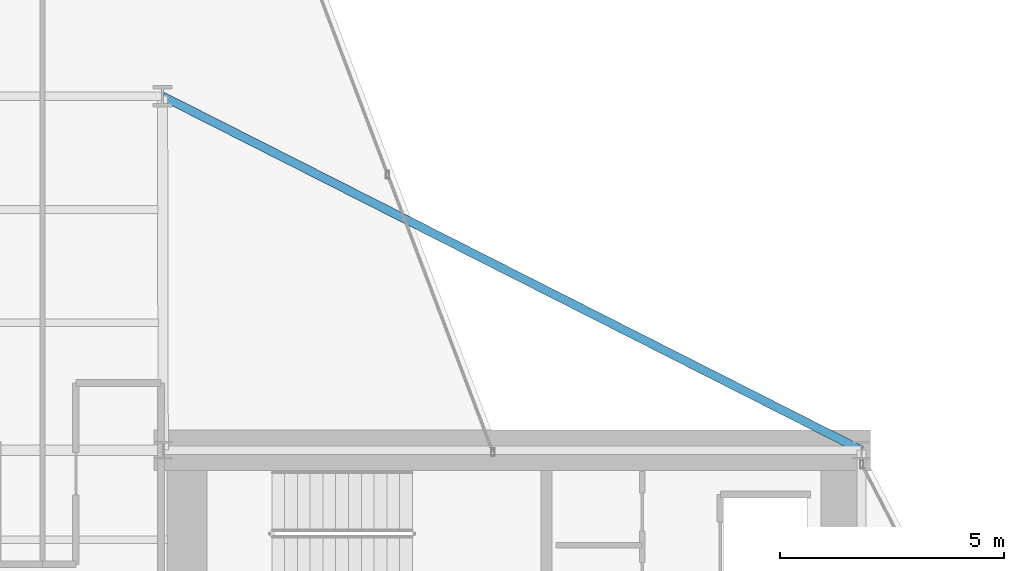
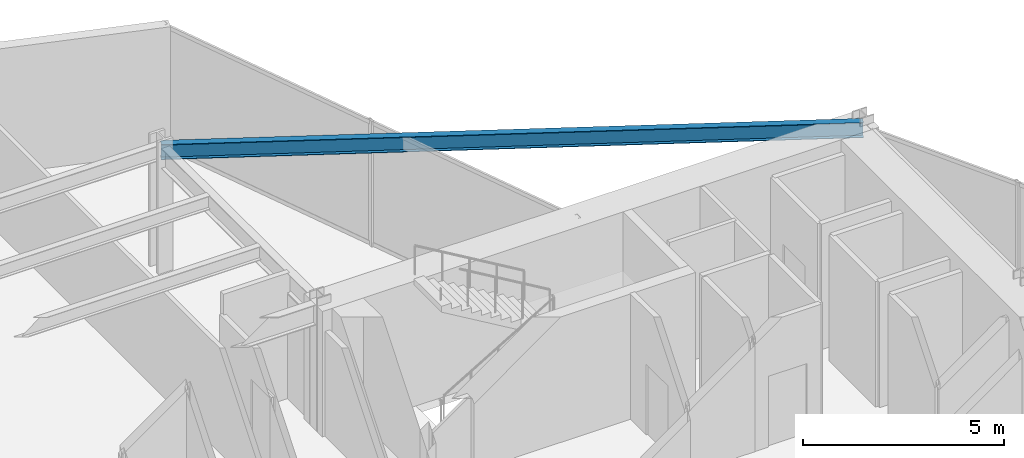
# One storey, part 21 of 30: 1 beam.
"""IFC4 building model written with IfcOpenShell, lengths in metres."""

import ifcopenshell
import ifcopenshell.guid

model = None  # the IFC model being written
_history = None  # IfcOwnerHistory: only IFC2X3 demands one
_inside = {}  # id of a spatial element -> (the spatial element, [elements in it])
_under = {}  # id of a project, library or spatial element -> (it, [spatial elements below it])
_declared = {}  # id of a project -> (the project, [libraries it declares])
_typed = {}  # id of a type object -> (the type object, [elements of that type])
_made_of = {}  # id of a material, layer set ... -> (it, [elements and type objects made of it])


def new_model(schema):
    """Start an empty IFC model of exactly this schema.

    Asked for "IFC4X3", IfcOpenShell would pick the latest addendum, in which some entities
    have other attributes; the version numbers below select the first issue.
    IFC2X3 requires an IfcOwnerHistory on every rooted entity: one is made here for all.
    """
    global model, _history
    if schema == "IFC4X3":
        model = ifcopenshell.file(schema_version=(4, 3, 0, 0))
    else:
        model = ifcopenshell.file(schema=schema)
    _inside.clear()
    _under.clear()
    _declared.clear()
    _typed.clear()
    _made_of.clear()
    _history = None
    if model.schema == "IFC2X3":
        org = make("IfcOrganization", Name="unknown")
        user = make(
            "IfcPersonAndOrganization",
            ThePerson=make("IfcPerson", FamilyName="unknown"),
            TheOrganization=org,
        )
        app = make(
            "IfcApplication",
            ApplicationDeveloper=org,
            Version="unknown",
            ApplicationFullName="unknown",
            ApplicationIdentifier="unknown",
        )
        _history = make(
            "IfcOwnerHistory",
            OwningUser=user,
            OwningApplication=app,
            ChangeAction="ADDED",
            CreationDate=0,
        )
    return model


def make(cls, **values):
    """One entity of the class cls with the attributes given. An attribute that is None is left unset."""
    return model.create_entity(
        cls, **{name: value for name, value in values.items() if value is not None}
    )


def rooted(cls, **values):
    """An entity with a GlobalId (a new one), such as an element, a storey or a relation."""
    return make(cls, GlobalId=ifcopenshell.guid.new(), OwnerHistory=_history, **values)


def si_unit(unit_type, name, prefix=None):
    """IfcSIUnit, for example si_unit("LENGTHUNIT", "METRE", prefix="MILLI")."""
    return make("IfcSIUnit", UnitType=unit_type, Prefix=prefix, Name=name)


def assignment(units):
    """IfcUnitAssignment: the units of a project."""
    return None if units is None else make("IfcUnitAssignment", Units=units)


def point(xyz):
    """IfcCartesianPoint."""
    return None if xyz is None else make("IfcCartesianPoint", Coordinates=xyz)


def direction(xyz):
    """IfcDirection."""
    return None if xyz is None else make("IfcDirection", DirectionRatios=xyz)


def frame(location, z_axis=None, x_axis=None):
    """IfcAxis2Placement3D, a coordinate frame: its origin and axes. An axis left out is left unset."""
    return make(
        "IfcAxis2Placement3D",
        Location=point(location),
        Axis=direction(z_axis),
        RefDirection=direction(x_axis),
    )


def frame_2d(location, x_axis=None):
    """IfcAxis2Placement2D, a coordinate frame in the plane: its origin and x axis."""
    return make(
        "IfcAxis2Placement2D", Location=point(location), RefDirection=direction(x_axis)
    )


def origin():
    """The frame at (0, 0, 0) with its axes left unset."""
    return frame((0.0, 0.0, 0.0))


def origin_2d():
    """The frame at (0, 0) in the plane with its x axis left unset."""
    return frame_2d((0.0, 0.0))


def place(relative_to, where):
    """IfcLocalPlacement: puts the frame where relative to a parent placement (None: the world)."""
    return make(
        "IfcLocalPlacement", PlacementRelTo=relative_to, RelativePlacement=where
    )


def context(
    kind, dimensions, precision=None, world=None, true_north=None, identifier=None
):
    """IfcGeometricRepresentationContext, for example the 3D "Model" context."""
    return make(
        "IfcGeometricRepresentationContext",
        ContextIdentifier=identifier,
        ContextType=kind,
        CoordinateSpaceDimension=dimensions,
        Precision=precision,
        WorldCoordinateSystem=world,
        TrueNorth=true_north,
    )


def subcontext(parent, identifier, kind, view, scale=None):
    """IfcGeometricRepresentationSubContext, for example "Body" below "Model"."""
    return make(
        "IfcGeometricRepresentationSubContext",
        ContextIdentifier=identifier,
        ContextType=kind,
        ParentContext=parent,
        TargetScale=scale,
        TargetView=view,
    )


def project(units=None, contexts=None):
    """IfcProject with its units and contexts."""
    return rooted(
        "IfcProject",
        Name="project",
        RepresentationContexts=contexts,
        UnitsInContext=assignment(units),
    )


def spatial(cls, under=None, at=None, **own):
    """A site, building, storey or space (cls), placed at a placement, below another one or the project."""
    s = rooted(cls, ObjectPlacement=at, **own)
    if under is not None:
        _under.setdefault(under.id(), (under, []))[1].append(s)
    return s


def profile(cls, at=None, kind="AREA", **sizes):
    """A parametric profile (cls). Its sizes go by their IFC names, for example OverallWidth=200.0."""
    return make(cls, ProfileType=kind, Position=at, **sizes)


def i_section(**sizes):
    """IfcIShapeProfileDef."""
    return profile("IfcIShapeProfileDef", **sizes)


def extrude(swept, where, along, depth):
    """IfcExtrudedAreaSolid: the profile swept, set in the frame where, extruded along a direction by depth."""
    return make(
        "IfcExtrudedAreaSolid",
        SweptArea=swept,
        Position=where,
        ExtrudedDirection=direction(along),
        Depth=depth,
    )


def shape(context_of_items, identifier, shape_type, items):
    """IfcShapeRepresentation: the items that make up one representation, for example the "Body"."""
    return make(
        "IfcShapeRepresentation",
        ContextOfItems=context_of_items,
        RepresentationIdentifier=identifier,
        RepresentationType=shape_type,
        Items=items,
    )


def material(Name=None, Category=None):
    """IfcMaterial."""
    return make("IfcMaterial", Name=Name, Category=Category)


def material_profile(
    of_material, cross_section, Name=None, Category=None, Priority=None
):
    """IfcMaterialProfile: a cross section and its material."""
    return make(
        "IfcMaterialProfile",
        Name=Name,
        Material=of_material,
        Profile=cross_section,
        Priority=Priority,
        Category=Category,
    )


def profile_set(profiles, Name=None, composite=None):
    """IfcMaterialProfileSet."""
    return make(
        "IfcMaterialProfileSet",
        Name=Name,
        MaterialProfiles=profiles,
        CompositeProfile=composite,
    )


def made_of(thing, what):
    """Note that an element or type object is made of a material, layer set ...; save() writes the relation."""
    if what is not None:
        _made_of.setdefault(what.id(), (what, []))[1].append(thing)
    return thing


def type_object(cls, material=None, **own):
    """A type object (cls), such as IfcWallType, which elements share."""
    return made_of(rooted(cls, **own), material)


def element(
    cls,
    number,
    at=None,
    inside=None,
    cuts=None,
    type_object=None,
    material=None,
    context=None,
    identifier="Body",
    shape_type=None,
    held_by="IfcProductDefinitionShape",
    body=None,
    shapes=None,
    **own,
):
    """One element of the class cls, such as IfcWall. Its Tag is "e" and its number.

    at: its placement. inside: the storey or other place that contains it. cuts: it is an
    opening in that element (IfcRelVoidsElement). A single representation is given by context,
    identifier, shape_type and body (its items); several are given by shapes. held_by: the class
    of the entity that holds the representations. save() writes the other relations.
    """
    e = rooted(cls, Tag="e%d" % number, ObjectPlacement=at, **own)
    if body is not None:
        shapes = [shape(context, identifier, shape_type, body)]
    if shapes is not None:
        e.Representation = make(held_by, Representations=shapes)
    if inside is not None:
        _inside.setdefault(inside.id(), (inside, []))[1].append(e)
    if cuts is not None:
        rooted(
            "IfcRelVoidsElement", RelatingBuildingElement=cuts, RelatedOpeningElement=e
        )
    if type_object is not None:
        _typed.setdefault(type_object.id(), (type_object, []))[1].append(e)
    return made_of(e, material)


def aggregate(whole, parts):
    """IfcRelAggregates: a whole, such as a stair, and the parts it consists of."""
    return rooted("IfcRelAggregates", RelatingObject=whole, RelatedObjects=parts)


def save(model, path):
    """Write the relations noted so far, then the file.

    IfcRelAggregates (storeys below a building ...), IfcRelContainedInSpatialStructure (elements
    in a storey), IfcRelDefinesByType, IfcRelAssociatesMaterial and IfcRelDeclares: one each for
    every whole, place, type object, material and project.
    """
    for whole, parts in _under.values():
        aggregate(whole, parts)
    for where, things in _inside.values():
        rooted(
            "IfcRelContainedInSpatialStructure",
            RelatedElements=things,
            RelatingStructure=where,
        )
    for kind, things in _typed.values():
        rooted("IfcRelDefinesByType", RelatedObjects=things, RelatingType=kind)
    for what, things in _made_of.values():
        rooted("IfcRelAssociatesMaterial", RelatedObjects=things, RelatingMaterial=what)
    for by, libraries in _declared.values():
        rooted("IfcRelDeclares", RelatingContext=by, RelatedDefinitions=libraries)
    model.write(path)


model = new_model("IFC4")

# Units and contexts
model_context = context("Model", 3, precision=1e-05, world=origin(), true_north=direction((0.0, 1.0)))
body_context = subcontext(model_context, "Body", "Model", "MODEL_VIEW")
ifc_project = project(units=[si_unit("LENGTHUNIT", "METRE"), si_unit("AREAUNIT", "SQUARE_METRE"), si_unit("VOLUMEUNIT", "CUBIC_METRE"), si_unit("PLANEANGLEUNIT", "RADIAN"), si_unit("MASSUNIT", "GRAM", prefix="KILO")], contexts=[model_context])

# Site, building, storey
site_placement = place(None, origin())
site = spatial("IfcSite", under=ifc_project, at=site_placement, CompositionType="ELEMENT")
building_placement = place(site_placement, origin())
building = spatial("IfcBuilding", under=site, at=building_placement, Name="Veymaron Broadcast Tower", CompositionType="ELEMENT")
storey_placement = place(building_placement, frame((0.0, 0.0, 37.800048828125)))
storey = spatial("IfcBuildingStorey", under=building, at=storey_placement, Name="L07", CompositionType="ELEMENT", Elevation=37.800048828125)

# Beam
ifc_material = material(Name="Structural steel ASTM A992 Gr 50", Category="steel")
ifc_material_profile = material_profile(ifc_material, i_section(OverallWidth=0.19091796875, OverallDepth=0.4599609375, WebThickness=0.010009765625, FlangeThickness=0.01611328125, at=origin_2d()), Name="W460X82")
ifc_profile_set = profile_set([ifc_material_profile], Name="Structural steel ASTM A992 Gr 50")
beam_type = type_object("IfcBeamType", Name="BM-SP1", PredefinedType="SPANDREL", material=ifc_profile_set)
beam_placement = place(storey_placement, frame((54.60009765625, 32.0, 3.579833984375), z_axis=(-0.892074535594, 0.451888285913, 0.0), x_axis=(-0.451888285913, -0.892074535594, 0.0)))
element("IfcBeam", 1, at=beam_placement, inside=storey, type_object=beam_type, Name="L07 primary structural floor girder", PredefinedType="SPANDREL", context=body_context, shape_type="SweptSolid", body=[
    extrude(i_section(OverallWidth=0.19091796875, OverallDepth=0.4599609375, WebThickness=0.010009765625, FlangeThickness=0.01611328125, at=origin_2d()), origin(), (0.0, 0.0, 1.0), 17.504150390625),
])

save(model, "model.ifc")
